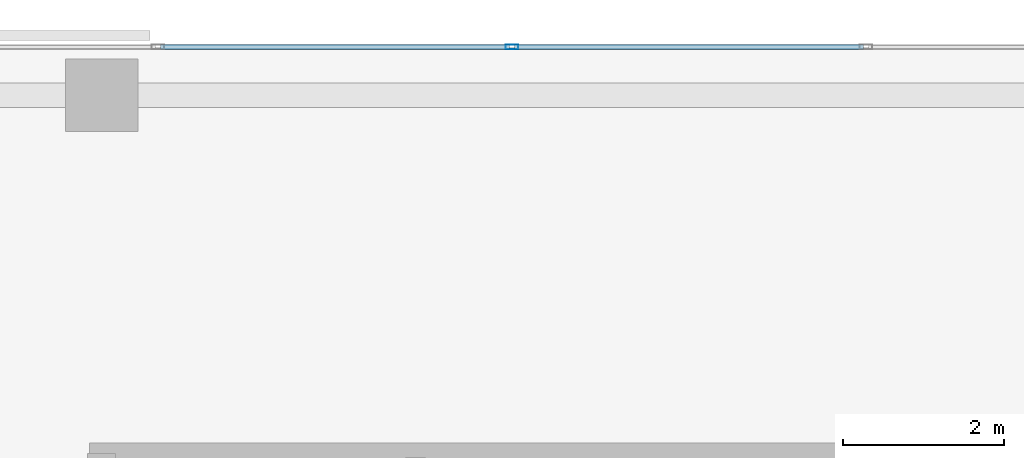
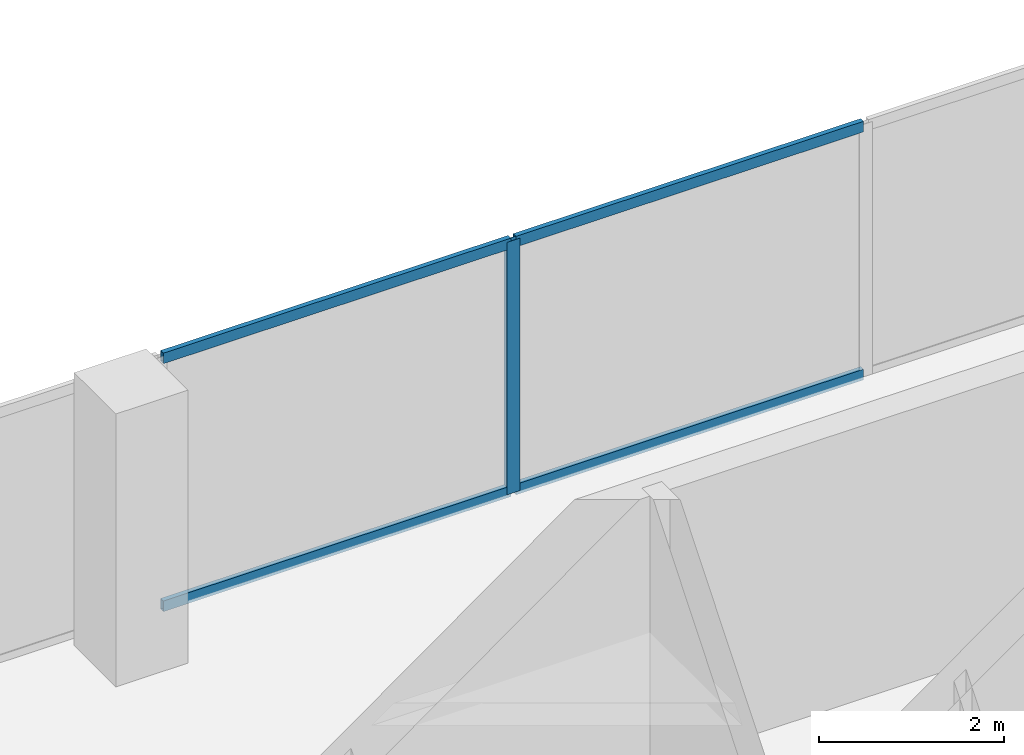
# One storey, part 20 of 34: 5 members, 1 element without a shape of its own.
"""IFC4 building model written with IfcOpenShell, lengths in metres."""

from ifc_helpers import new_model, si_unit, direction, frame, origin, origin_2d, place, context, subcontext, project, spatial, hollow_rectangle, extrude, material, layer, layer_set, material_profile, profile_set, type_object, element, aggregate, save


model = new_model("IFC4")

# Units and contexts
model_context = context("Model", 3, precision=1e-05, world=origin(), true_north=direction((0.0, 1.0)))
body_context = subcontext(model_context, "Body", "Model", "MODEL_VIEW")
ifc_project = project(units=[si_unit("LENGTHUNIT", "METRE"), si_unit("AREAUNIT", "SQUARE_METRE"), si_unit("VOLUMEUNIT", "CUBIC_METRE"), si_unit("PLANEANGLEUNIT", "RADIAN"), si_unit("MASSUNIT", "GRAM", prefix="KILO")], contexts=[model_context])

# Site, building, storey
site_placement = place(None, origin())
site = spatial("IfcSite", under=ifc_project, at=site_placement, CompositionType="ELEMENT")
building_placement = place(site_placement, origin())
building = spatial("IfcBuilding", under=site, at=building_placement, Name="Catumbela Crestline Tower", CompositionType="ELEMENT")
storey_placement = place(building_placement, frame((0.0, 0.0, 115.2)))
storey = spatial("IfcBuildingStorey", under=building, at=storey_placement, Name="L29", CompositionType="ELEMENT", Elevation=115.2)

# Curtain wall, members
ifc_material = material(Name="Aluminium alloy AW-6060-T66", Category="aluminium")
ifc_layer = layer(ifc_material, 0.18, Name="Aluminium alloy AW-6060-T66")
ifc_layer_set = layer_set([ifc_layer], Name="Aluminium alloy AW-6060-T66")
curtain_wall_type = type_object("IfcCurtainWallType", Name="CWU-Z2", PredefinedType="USERDEFINED", material=ifc_layer_set)
curtain_wall_placement = place(storey_placement, origin())
curtain_wall = element("IfcCurtainWall", 1, at=curtain_wall_placement, inside=storey, type_object=curtain_wall_type, Name="L29 Unitised Curtain Wall CW-L29-E7S1", ObjectType="UNITISED", PredefinedType="USERDEFINED")
ifc_material_profile_1 = material_profile(ifc_material, hollow_rectangle(XDim=0.06, YDim=0.16, WallThickness=0.004, at=origin_2d()), Name="ALU 160x60x4")
ifc_profile_set_1 = profile_set([ifc_material_profile_1], Name="Aluminium alloy AW-6060-T66")
member_type_1 = type_object("IfcMemberType", Name="MUL-160X60", PredefinedType="MULLION", material=ifc_profile_set_1)
member_1_placement = place(storey_placement, frame((21.1, 48.0, 0.0), z_axis=(0.0, 0.0, 1.0), x_axis=(0.0, -1.0, 0.0)))
member_1 = element("IfcMember", 2, at=member_1_placement, type_object=member_type_1, Name="CWU-Z2 mullion 7", PredefinedType="MULLION", context=body_context, shape_type="SweptSolid", body=[
    extrude(hollow_rectangle(XDim=0.06, YDim=0.16, WallThickness=0.004, at=origin_2d()), origin(), (0.0, 0.0, 1.0), 3.33),
])
ifc_material_profile_2 = material_profile(ifc_material, hollow_rectangle(XDim=0.06, YDim=0.14, WallThickness=0.004, at=origin_2d()), Name="ALU 140x60x4")
ifc_profile_set_2 = profile_set([ifc_material_profile_2], Name="Aluminium alloy AW-6060-T66")
member_type_2 = type_object("IfcMemberType", Name="TRN-140X60", PredefinedType="USERDEFINED", material=ifc_profile_set_2)
member_2_placement = place(storey_placement, frame((25.4675, 48.0, 0.03), z_axis=(-1.0, 0.0, 0.0), x_axis=(0.0, -1.0, 0.0)))
member_2 = element("IfcMember", 3, at=member_2_placement, type_object=member_type_2, Name="CWU-Z2 transom 6.1", ObjectType="TRANSOM", PredefinedType="USERDEFINED", context=body_context, shape_type="SweptSolid", body=[
    extrude(hollow_rectangle(XDim=0.06, YDim=0.14, WallThickness=0.004, at=origin_2d()), origin(), (0.0, 0.0, 1.0), 4.335),
])
member_3_placement = place(storey_placement, frame((25.4675, 48.0, 3.3), z_axis=(-1.0, 0.0, 0.0), x_axis=(0.0, -1.0, 0.0)))
member_3 = element("IfcMember", 4, at=member_3_placement, type_object=member_type_2, Name="CWU-Z2 transom 6.2", ObjectType="TRANSOM", PredefinedType="USERDEFINED", context=body_context, shape_type="SweptSolid", body=[
    extrude(hollow_rectangle(XDim=0.06, YDim=0.14, WallThickness=0.004, at=origin_2d()), origin(), (0.0, 0.0, 1.0), 4.335),
])
member_4_placement = place(storey_placement, frame((21.0675, 48.0, 0.03), z_axis=(-1.0, 0.0, 0.0), x_axis=(0.0, -1.0, 0.0)))
member_4 = element("IfcMember", 5, at=member_4_placement, type_object=member_type_2, Name="CWU-Z2 transom 7.1", ObjectType="TRANSOM", PredefinedType="USERDEFINED", context=body_context, shape_type="SweptSolid", body=[
    extrude(hollow_rectangle(XDim=0.06, YDim=0.14, WallThickness=0.004, at=origin_2d()), origin(), (0.0, 0.0, 1.0), 4.335),
])
member_5_placement = place(storey_placement, frame((21.0675, 48.0, 3.3), z_axis=(-1.0, 0.0, 0.0), x_axis=(0.0, -1.0, 0.0)))
member_5 = element("IfcMember", 6, at=member_5_placement, type_object=member_type_2, Name="CWU-Z2 transom 7.2", ObjectType="TRANSOM", PredefinedType="USERDEFINED", context=body_context, shape_type="SweptSolid", body=[
    extrude(hollow_rectangle(XDim=0.06, YDim=0.14, WallThickness=0.004, at=origin_2d()), origin(), (0.0, 0.0, 1.0), 4.335),
])
aggregate(curtain_wall, [member_1, member_2, member_3, member_4, member_5])

save(model, "model.ifc")
